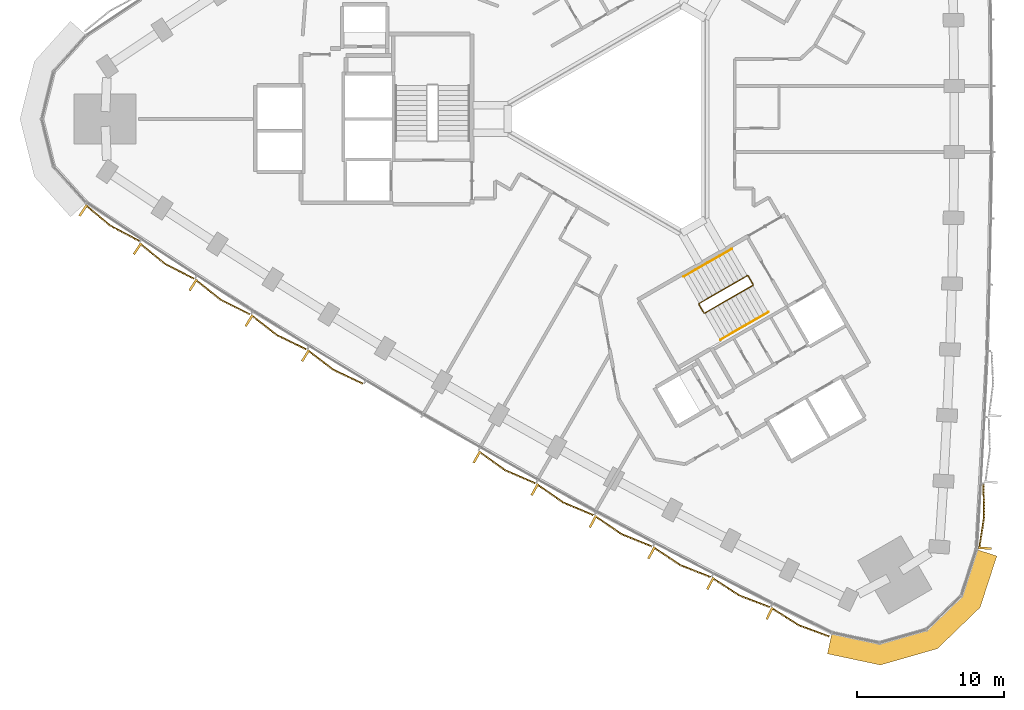
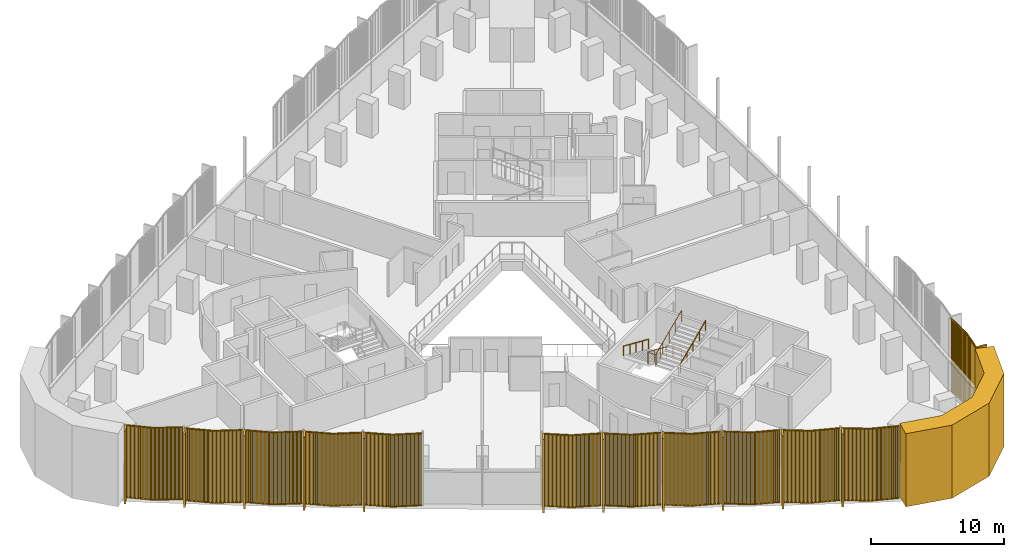
# One storey, part 14 of 16: 13 coverings, 3 railings.
"""IFC4 building model written with IfcOpenShell, lengths in metres."""

from ifc_helpers import new_model, si_unit, direction, frame, frame_2d, origin, origin_2d, place, context, subcontext, project, spatial, polyline, rectangle, circle, outline, extrude, source, transform, mapped, material, layer, layer_set, type_object, element, save


model = new_model("IFC4")

# Units and contexts
model_context = context("Model", 3, precision=1e-05, world=origin(), true_north=direction((0.0, 1.0)))
body_context = subcontext(model_context, "Body", "Model", "MODEL_VIEW")
ifc_project = project(units=[si_unit("LENGTHUNIT", "METRE"), si_unit("AREAUNIT", "SQUARE_METRE"), si_unit("VOLUMEUNIT", "CUBIC_METRE"), si_unit("PLANEANGLEUNIT", "RADIAN"), si_unit("MASSUNIT", "GRAM", prefix="KILO")], contexts=[model_context])

# Site, building, storey
site_placement = place(None, origin())
site = spatial("IfcSite", under=ifc_project, at=site_placement, CompositionType="ELEMENT")
building_placement = place(site_placement, origin())
building = spatial("IfcBuilding", under=site, at=building_placement, Name="Tamra Quay Hotel Tower", CompositionType="ELEMENT")
storey_placement = place(building_placement, frame((0.0, 0.0, 45.800048828125)))
storey = spatial("IfcBuildingStorey", under=building, at=storey_placement, Name="L09", CompositionType="ELEMENT", Elevation=45.800048828125)

# Covering
ifc_material_1 = material(Name="Precast concrete M60 terracotta-coloured", Category="masonry")
ifc_layer = layer(ifc_material_1, 1.449951171875)
ifc_layer_set = layer_set([ifc_layer], Name="CORNER PIER PANEL")
covering_type_1 = type_object("IfcCoveringType", Name="CORNER PIER PANEL", PredefinedType="CLADDING", material=ifc_layer_set)
covering_1_placement = place(storey_placement, origin())
element("IfcCovering", 1, at=covering_1_placement, inside=storey, type_object=covering_type_1, Name="Corner pier L09.south-west", PredefinedType="CLADDING", context=body_context, shape_type="SweptSolid", body=[
    extrude(outline(polyline([(13.593017578125, -34.877685546875), (13.29150390625, -36.296142578125), (16.88037109375, -37.058837890625), (20.75439453125, -35.947998046875), (23.65380859375, -33.148193359375), (24.78759765625, -29.658935546875), (23.40869140625, -29.210693359375), (22.386474609375, -32.356201171875), (20.00732421875, -34.65380859375), (16.828125, -35.5654296875), (13.593017578125, -34.877685546875)])), origin(), (0.0, 0.0, 1.0), 6.724853515625),
])

# Railings
ifc_material_2 = material(Name="Stair guard 1100")
railing_type_1 = type_object("IfcRailingType", Name="Stair guard 1100", PredefinedType="GUARDRAIL", material=ifc_material_2)
railing_1_placement = place(storey_placement, frame((8.245849609375, -11.221923828125, 0.0)))
element("IfcRailing", 2, at=railing_1_placement, inside=storey, type_object=railing_type_1, Name="GR", PredefinedType="GUARDRAIL", context=body_context, shape_type="SweptSolid", body=[
    extrude(circle(Radius=0.02392578125, at=origin_2d()), frame((0.0, 0.0, 1.076171875), z_axis=(-0.500043078269, 0.866000531106, 0.0), x_axis=(-0.866000531106, -0.500043078269, 0.0)), (0.0, 0.0, 1.0), 0.6591796875),
    extrude(circle(Radius=0.02392578125, at=origin_2d()), frame((-0.32958984375, 0.57080078125, 1.076171875), z_axis=(-0.41238007866, 0.110458949641, 0.904290601062), x_axis=(-0.258736085224, -0.965948051503, 0.0)), (0.0, 0.0, 1.0), 0.165771484375),
    extrude(circle(Radius=0.02392578125, at=origin_2d()), frame((-0.39794921875, 0.589111328125, 1.22607421875), z_axis=(-0.793081581205, -0.457901355053, 0.401681409319), x_axis=(0.500012686397, -0.866018079166, 0.0)), (0.0, 0.0, 1.0), 4.108154296875),
    extrude(circle(Radius=0.02392578125, at=origin_2d()), frame((-3.656005859375, -1.2919921875, 2.8759765625), z_axis=(-0.256368644879, -0.966579080015, 0.0), x_axis=(0.966579080015, -0.256368644879, 0.0)), (0.0, 0.0, 1.0), 0.070556640625),
    extrude(circle(Radius=0.02392578125, at=origin_2d()), frame((-3.674072265625, -1.360107421875, 2.8759765625), z_axis=(0.499765215335, -0.866160914346, 0.0), x_axis=(0.866160914346, 0.499765215335, 0.0)), (0.0, 0.0, 1.0), 0.658935546875),
    extrude(circle(Radius=0.02392578125, at=origin_2d()), frame((-3.3447265625, -1.930908203125, 2.8759765625), z_axis=(0.41238007866, -0.110458949641, 0.904290601062), x_axis=(0.258736085224, 0.965948051503, 0.0)), (0.0, 0.0, 1.0), 0.165771484375),
    extrude(circle(Radius=0.02392578125, at=origin_2d()), frame((-3.2763671875, -1.94921875, 3.02587890625), z_axis=(0.793100512587, 0.457912285461, 0.401631567183), x_axis=(-0.500012686397, 0.866018079166, 0.0)), (0.0, 0.0, 1.0), 4.10791015625),
    extrude(circle(Radius=0.02099609375, at=origin_2d()), origin(), (0.0, 0.0, 1.0), 1.052001953125),
    extrude(circle(Radius=0.02099609375, at=origin_2d()), frame((-0.32958984375, 0.57080078125, 0.0)), (0.0, 0.0, 1.0), 1.052001953125),
    extrude(circle(Radius=0.02099609375, at=origin_2d()), frame((-0.39794921875, 0.589111328125, 0.14990234375)), (0.0, 0.0, 1.0), 1.052001953125),
    extrude(circle(Radius=0.02099609375, at=origin_2d()), frame((-1.21240234375, 0.118896484375, 0.5625)), (0.0, 0.0, 1.0), 1.052001953125),
    extrude(circle(Radius=0.02099609375, at=origin_2d()), frame((-2.02685546875, -0.3515625, 0.97509765625)), (0.0, 0.0, 1.0), 1.052001953125),
    extrude(circle(Radius=0.02099609375, at=origin_2d()), frame((-2.841552734375, -0.82177734375, 1.387451171875)), (0.0, 0.0, 1.0), 1.052001953125),
    extrude(circle(Radius=0.02099609375, at=origin_2d()), frame((-3.656005859375, -1.2919921875, 1.800048828125)), (0.0, 0.0, 1.0), 1.052001953125),
    extrude(circle(Radius=0.02099609375, at=origin_2d()), frame((-3.674072265625, -1.360107421875, 1.800048828125)), (0.0, 0.0, 1.0), 1.052001953125),
    extrude(circle(Radius=0.02099609375, at=origin_2d()), frame((-3.3447265625, -1.930908203125, 1.800048828125)), (0.0, 0.0, 1.0), 1.052001953125),
    extrude(circle(Radius=0.02099609375, at=origin_2d()), frame((-3.2763671875, -1.94921875, 1.949951171875)), (0.0, 0.0, 1.0), 1.052001953125),
    extrude(circle(Radius=0.02099609375, at=origin_2d()), frame((-2.4619140625, -1.47900390625, 2.3623046875)), (0.0, 0.0, 1.0), 1.052001953125),
    extrude(circle(Radius=0.02099609375, at=origin_2d()), frame((-1.6474609375, -1.0087890625, 2.77490234375)), (0.0, 0.0, 1.0), 1.052001953125),
    extrude(circle(Radius=0.02099609375, at=origin_2d()), frame((-0.832763671875, -0.538330078125, 3.1875)), (0.0, 0.0, 1.0), 1.052001953125),
    extrude(circle(Radius=0.02099609375, at=origin_2d()), frame((-0.018310546875, -0.068115234375, 3.599853515625)), (0.0, 0.0, 1.0), 1.052001953125),
])
ifc_material_3 = material(Name="Stair handrail 900")
railing_type_2 = type_object("IfcRailingType", Name="Stair handrail 900", PredefinedType="HANDRAIL", material=ifc_material_3)
railing_2_placement = place(storey_placement, frame((6.7978515625, -8.814208984375, 0.14990234375)))
element("IfcRailing", 3, at=railing_2_placement, inside=storey, type_object=railing_type_2, Name="HR", PredefinedType="HANDRAIL", context=body_context, shape_type="SweptSolid", body=[
    extrude(circle(Radius=0.02392578125, at=origin_2d()), frame((0.0, 0.0, 0.8759765625), z_axis=(-0.793081112945, -0.457875966286, 0.40171127416), x_axis=(0.499992114976, -0.866029956157, 0.0)), (0.0, 0.0, 1.0), 4.10791015625),
    extrude(circle(Radius=0.02099609375, at=origin_2d()), origin(), (0.0, 0.0, 1.0), 0.851806640625),
    extrude(circle(Radius=0.02099609375, at=origin_2d()), frame((-0.814453125, -0.47021484375, 0.41259765625)), (0.0, 0.0, 1.0), 0.851806640625),
    extrude(circle(Radius=0.02099609375, at=origin_2d()), frame((-1.62890625, -0.9404296875, 0.8251953125)), (0.0, 0.0, 1.0), 0.851806640625),
    extrude(circle(Radius=0.02099609375, at=origin_2d()), frame((-2.443359375, -1.41064453125, 1.237548828125)), (0.0, 0.0, 1.0), 0.851806640625),
    extrude(circle(Radius=0.02099609375, at=origin_2d()), frame((-3.2578125, -1.880859375, 1.650146484375)), (0.0, 0.0, 1.0), 0.851806640625),
])
railing_3_placement = place(storey_placement, frame((6.01953125, -14.98974609375, 1.949951171875)))
element("IfcRailing", 4, at=railing_3_placement, inside=storey, type_object=railing_type_2, Name="HR", PredefinedType="HANDRAIL", context=body_context, shape_type="SweptSolid", body=[
    extrude(circle(Radius=0.02392578125, at=origin_2d()), frame((0.0, 0.0, 0.8759765625), z_axis=(0.79310004713, 0.457886897714, 0.401661429744), x_axis=(-0.499992114976, 0.866029956157, 0.0)), (0.0, 0.0, 1.0), 4.107666015625),
    extrude(circle(Radius=0.02099609375, at=origin_2d()), origin(), (0.0, 0.0, 1.0), 0.851806640625),
    extrude(circle(Radius=0.02099609375, at=origin_2d()), frame((0.814453125, 0.47021484375, 0.41259765625)), (0.0, 0.0, 1.0), 0.851806640625),
    extrude(circle(Radius=0.02099609375, at=origin_2d()), frame((1.62890625, 0.9404296875, 0.824951171875)), (0.0, 0.0, 1.0), 0.851806640625),
    extrude(circle(Radius=0.02099609375, at=origin_2d()), frame((2.443359375, 1.41064453125, 1.2373046875)), (0.0, 0.0, 1.0), 0.851806640625),
    extrude(circle(Radius=0.02099609375, at=origin_2d()), frame((3.2578125, 1.880859375, 1.64990234375)), (0.0, 0.0, 1.0), 0.851806640625),
])

# Coverings
ifc_material_4 = material(Name="Terracotta baguette extruded", Category="masonry")
covering_type_2 = type_object("IfcCoveringType", Name="BAGUETTE SCREEN E-V H6725", PredefinedType="USERDEFINED", material=ifc_material_4)
shared_shape_1 = source(origin(), body_context, "Body", "SweptSolid", [
    extrude(rectangle(XDim=2.2109375, YDim=0.06005859375, at=frame_2d((1.10546875, 0.030029296875))), frame((-2.207763671875, -0.057861328125, -0.1201171875), z_axis=(0.0, 0.0, 1.0), x_axis=(0.996194698092, -0.087155742748, 0.0)), (0.0, 0.0, 1.0), 0.1201171875),
    extrude(rectangle(XDim=2.2109375, YDim=0.06005859375, at=frame_2d((1.10546875, 0.030029296875))), frame((-2.207763671875, -0.057861328125, -6.72509765625), z_axis=(0.0, 0.0, 1.0), x_axis=(0.996194698092, -0.087155742748, 0.0)), (0.0, 0.0, 1.0), 0.1201171875),
    extrude(rectangle(XDim=0.070068359375, YDim=0.10009765625, at=frame_2d((0.03515625, 0.050048828125))), frame((-2.1875, -0.13232421875, -6.6650390625)), (0.0, 0.0, 1.0), 6.60498046875),
    extrude(rectangle(XDim=0.070068359375, YDim=0.10009765625, at=frame_2d((0.03515625, 0.050048828125))), frame((-2.08740234375, -0.14111328125, -6.6650390625)), (0.0, 0.0, 1.0), 6.60498046875),
    extrude(rectangle(XDim=0.070068359375, YDim=0.10009765625, at=frame_2d((0.03515625, 0.050048828125))), frame((-1.9873046875, -0.14990234375, -6.6650390625)), (0.0, 0.0, 1.0), 6.60498046875),
    extrude(rectangle(XDim=0.070068359375, YDim=0.10009765625, at=frame_2d((0.03515625, 0.050048828125))), frame((-1.88720703125, -0.15869140625, -6.6650390625)), (0.0, 0.0, 1.0), 6.60498046875),
    extrude(rectangle(XDim=0.070068359375, YDim=0.10009765625, at=frame_2d((0.03515625, 0.050048828125))), frame((-1.787109375, -0.16748046875, -6.6650390625)), (0.0, 0.0, 1.0), 6.60498046875),
    extrude(rectangle(XDim=0.070068359375, YDim=0.10009765625, at=frame_2d((0.03515625, 0.050048828125))), frame((-1.686767578125, -0.17626953125, -6.6650390625)), (0.0, 0.0, 1.0), 6.60498046875),
    extrude(rectangle(XDim=0.070068359375, YDim=0.10009765625, at=frame_2d((0.03515625, 0.050048828125))), frame((-1.586669921875, -0.184814453125, -6.6650390625)), (0.0, 0.0, 1.0), 6.60498046875),
    extrude(rectangle(XDim=0.070068359375, YDim=0.10009765625, at=frame_2d((0.03515625, 0.050048828125))), frame((-1.486572265625, -0.193603515625, -6.6650390625)), (0.0, 0.0, 1.0), 6.60498046875),
    extrude(rectangle(XDim=0.070068359375, YDim=0.10009765625, at=frame_2d((0.03515625, 0.050048828125))), frame((-1.386474609375, -0.202392578125, -6.6650390625)), (0.0, 0.0, 1.0), 6.60498046875),
    extrude(rectangle(XDim=0.070068359375, YDim=0.10009765625, at=frame_2d((0.03515625, 0.050048828125))), frame((-1.286376953125, -0.211181640625, -6.6650390625)), (0.0, 0.0, 1.0), 6.60498046875),
    extrude(rectangle(XDim=0.070068359375, YDim=0.10009765625, at=frame_2d((0.03515625, 0.050048828125))), frame((-1.186279296875, -0.219970703125, -6.6650390625)), (0.0, 0.0, 1.0), 6.60498046875),
    extrude(rectangle(XDim=0.070068359375, YDim=0.10009765625, at=frame_2d((0.03515625, 0.050048828125))), frame((-1.086181640625, -0.228759765625, -6.6650390625)), (0.0, 0.0, 1.0), 6.60498046875),
    extrude(rectangle(XDim=0.070068359375, YDim=0.10009765625, at=frame_2d((0.03515625, 0.050048828125))), frame((-0.986083984375, -0.237548828125, -6.6650390625)), (0.0, 0.0, 1.0), 6.60498046875),
    extrude(rectangle(XDim=0.070068359375, YDim=0.10009765625, at=frame_2d((0.03515625, 0.050048828125))), frame((-0.885986328125, -0.246337890625, -6.6650390625)), (0.0, 0.0, 1.0), 6.60498046875),
    extrude(rectangle(XDim=0.070068359375, YDim=0.10009765625, at=frame_2d((0.03515625, 0.050048828125))), frame((-0.785888671875, -0.2548828125, -6.6650390625)), (0.0, 0.0, 1.0), 6.60498046875),
    extrude(rectangle(XDim=0.070068359375, YDim=0.10009765625, at=frame_2d((0.03515625, 0.050048828125))), frame((-0.685791015625, -0.263671875, -6.6650390625)), (0.0, 0.0, 1.0), 6.60498046875),
    extrude(rectangle(XDim=0.070068359375, YDim=0.10009765625, at=frame_2d((0.03515625, 0.050048828125))), frame((-0.585693359375, -0.2724609375, -6.6650390625)), (0.0, 0.0, 1.0), 6.60498046875),
    extrude(rectangle(XDim=0.070068359375, YDim=0.10009765625, at=frame_2d((0.03515625, 0.050048828125))), frame((-0.485595703125, -0.28125, -6.6650390625)), (0.0, 0.0, 1.0), 6.60498046875),
    extrude(rectangle(XDim=0.070068359375, YDim=0.10009765625, at=frame_2d((0.03515625, 0.050048828125))), frame((-0.385498046875, -0.2900390625, -6.6650390625)), (0.0, 0.0, 1.0), 6.60498046875),
    extrude(rectangle(XDim=0.070068359375, YDim=0.10009765625, at=frame_2d((0.03515625, 0.050048828125))), frame((-0.285400390625, -0.298828125, -6.6650390625)), (0.0, 0.0, 1.0), 6.60498046875),
    extrude(rectangle(XDim=0.070068359375, YDim=0.10009765625, at=frame_2d((0.03515625, 0.050048828125))), frame((-0.18505859375, -0.3076171875, -6.6650390625)), (0.0, 0.0, 1.0), 6.60498046875),
    extrude(rectangle(XDim=0.070068359375, YDim=0.10009765625, at=frame_2d((0.03515625, 0.050048828125))), frame((-0.0849609375, -0.31640625, -6.6650390625)), (0.0, 0.0, 1.0), 6.60498046875),
    extrude(rectangle(XDim=2.2109375, YDim=0.06005859375, at=frame_2d((1.10546875, 0.030029296875))), frame((0.005126953125, -0.25048828125, -0.1201171875), z_axis=(0.0, 0.0, 1.0), x_axis=(0.996194698092, 0.087155742748, 0.0)), (0.0, 0.0, 1.0), 0.1201171875),
    extrude(rectangle(XDim=2.2109375, YDim=0.06005859375, at=frame_2d((1.10546875, 0.030029296875))), frame((0.005126953125, -0.25048828125, -6.72509765625), z_axis=(0.0, 0.0, 1.0), x_axis=(0.996194698092, 0.087155742748, 0.0)), (0.0, 0.0, 1.0), 0.1201171875),
    extrude(rectangle(XDim=0.070068359375, YDim=0.10009765625, at=frame_2d((0.03515625, 0.050048828125))), frame((0.01513671875, -0.31640625, -6.6650390625)), (0.0, 0.0, 1.0), 6.60498046875),
    extrude(rectangle(XDim=0.070068359375, YDim=0.10009765625, at=frame_2d((0.03515625, 0.050048828125))), frame((0.115234375, -0.3076171875, -6.6650390625)), (0.0, 0.0, 1.0), 6.60498046875),
    extrude(rectangle(XDim=0.070068359375, YDim=0.10009765625, at=frame_2d((0.03515625, 0.050048828125))), frame((0.21533203125, -0.298828125, -6.6650390625)), (0.0, 0.0, 1.0), 6.60498046875),
    extrude(rectangle(XDim=0.070068359375, YDim=0.10009765625, at=frame_2d((0.03515625, 0.050048828125))), frame((0.3154296875, -0.2900390625, -6.6650390625)), (0.0, 0.0, 1.0), 6.60498046875),
    extrude(rectangle(XDim=0.070068359375, YDim=0.10009765625, at=frame_2d((0.03515625, 0.050048828125))), frame((0.41552734375, -0.28125, -6.6650390625)), (0.0, 0.0, 1.0), 6.60498046875),
    extrude(rectangle(XDim=0.070068359375, YDim=0.10009765625, at=frame_2d((0.03515625, 0.050048828125))), frame((0.515625, -0.2724609375, -6.6650390625)), (0.0, 0.0, 1.0), 6.60498046875),
    extrude(rectangle(XDim=0.070068359375, YDim=0.10009765625, at=frame_2d((0.03515625, 0.050048828125))), frame((0.61572265625, -0.263671875, -6.6650390625)), (0.0, 0.0, 1.0), 6.60498046875),
    extrude(rectangle(XDim=0.070068359375, YDim=0.10009765625, at=frame_2d((0.03515625, 0.050048828125))), frame((0.7158203125, -0.2548828125, -6.6650390625)), (0.0, 0.0, 1.0), 6.60498046875),
    extrude(rectangle(XDim=0.070068359375, YDim=0.10009765625, at=frame_2d((0.03515625, 0.050048828125))), frame((0.81591796875, -0.246337890625, -6.6650390625)), (0.0, 0.0, 1.0), 6.60498046875),
    extrude(rectangle(XDim=0.070068359375, YDim=0.10009765625, at=frame_2d((0.03515625, 0.050048828125))), frame((0.916015625, -0.237548828125, -6.6650390625)), (0.0, 0.0, 1.0), 6.60498046875),
    extrude(rectangle(XDim=0.070068359375, YDim=0.10009765625, at=frame_2d((0.03515625, 0.050048828125))), frame((1.01611328125, -0.228759765625, -6.6650390625)), (0.0, 0.0, 1.0), 6.60498046875),
    extrude(rectangle(XDim=0.070068359375, YDim=0.10009765625, at=frame_2d((0.03515625, 0.050048828125))), frame((1.1162109375, -0.219970703125, -6.6650390625)), (0.0, 0.0, 1.0), 6.60498046875),
    extrude(rectangle(XDim=0.070068359375, YDim=0.10009765625, at=frame_2d((0.03515625, 0.050048828125))), frame((1.21630859375, -0.211181640625, -6.6650390625)), (0.0, 0.0, 1.0), 6.60498046875),
    extrude(rectangle(XDim=0.070068359375, YDim=0.10009765625, at=frame_2d((0.03515625, 0.050048828125))), frame((1.316650390625, -0.202392578125, -6.6650390625)), (0.0, 0.0, 1.0), 6.60498046875),
    extrude(rectangle(XDim=0.070068359375, YDim=0.10009765625, at=frame_2d((0.03515625, 0.050048828125))), frame((1.416748046875, -0.193603515625, -6.6650390625)), (0.0, 0.0, 1.0), 6.60498046875),
    extrude(rectangle(XDim=0.070068359375, YDim=0.10009765625, at=frame_2d((0.03515625, 0.050048828125))), frame((1.516845703125, -0.184814453125, -6.6650390625)), (0.0, 0.0, 1.0), 6.60498046875),
    extrude(rectangle(XDim=0.070068359375, YDim=0.10009765625, at=frame_2d((0.03515625, 0.050048828125))), frame((1.616943359375, -0.17626953125, -6.6650390625)), (0.0, 0.0, 1.0), 6.60498046875),
    extrude(rectangle(XDim=0.070068359375, YDim=0.10009765625, at=frame_2d((0.03515625, 0.050048828125))), frame((1.717041015625, -0.16748046875, -6.6650390625)), (0.0, 0.0, 1.0), 6.60498046875),
    extrude(rectangle(XDim=0.070068359375, YDim=0.10009765625, at=frame_2d((0.03515625, 0.050048828125))), frame((1.817138671875, -0.15869140625, -6.6650390625)), (0.0, 0.0, 1.0), 6.60498046875),
    extrude(rectangle(XDim=0.070068359375, YDim=0.10009765625, at=frame_2d((0.03515625, 0.050048828125))), frame((1.917236328125, -0.14990234375, -6.6650390625)), (0.0, 0.0, 1.0), 6.60498046875),
    extrude(rectangle(XDim=0.070068359375, YDim=0.10009765625, at=frame_2d((0.03515625, 0.050048828125))), frame((2.017333984375, -0.14111328125, -6.6650390625)), (0.0, 0.0, 1.0), 6.60498046875),
    extrude(rectangle(XDim=0.070068359375, YDim=0.10009765625, at=frame_2d((0.03515625, 0.050048828125))), frame((2.117431640625, -0.13232421875, -6.6650390625)), (0.0, 0.0, 1.0), 6.60498046875),
    extrude(rectangle(XDim=0.14990234375, YDim=0.902099609375, at=frame_2d((0.074951171875, 0.451171875))), frame((-2.202392578125, -0.89990234375, -6.72509765625)), (0.0, 0.0, 1.0), 6.72509765625),
])
covering_2_placement = place(storey_placement, frame((23.672119140625, -26.97509765625, 6.724853515625), z_axis=(0.0, 0.0, 1.0), x_axis=(0.064813097616, 0.997897420769, 0.0)))
element("IfcCovering", 5, at=covering_2_placement, inside=storey, type_object=covering_type_2, Name="Baguette screen L09.E.f00", ObjectType="BAGUETTE SCREEN", PredefinedType="USERDEFINED", context=body_context, shape_type="MappedRepresentation", body=[
    mapped(shared_shape_1, transform((0.0, 0.0, 0.0), scale=1.0)),
])
covering_type_3 = type_object("IfcCoveringType", Name="BAGUETTE SCREEN SW-V H6725", PredefinedType="USERDEFINED", material=ifc_material_4)
shared_shape_2 = source(origin(), body_context, "Body", "SweptSolid", [
    extrude(rectangle(XDim=2.214599609375, YDim=0.06005859375, at=frame_2d((1.107421875, 0.030029296875))), frame((-2.208740234375, -0.0576171875, -0.1201171875), z_axis=(0.0, 0.0, 1.0), x_axis=(0.994521895368, -0.104528463268, 0.0)), (0.0, 0.0, 1.0), 0.1201171875),
    extrude(rectangle(XDim=2.214599609375, YDim=0.06005859375, at=frame_2d((1.107421875, 0.030029296875))), frame((-2.208740234375, -0.0576171875, -6.72509765625), z_axis=(0.0, 0.0, 1.0), x_axis=(0.994521895368, -0.104528463268, 0.0)), (0.0, 0.0, 1.0), 0.1201171875),
    extrude(rectangle(XDim=0.070068359375, YDim=0.10009765625, at=frame_2d((0.03515625, 0.050048828125))), frame((-2.1875, -0.13330078125, -6.6650390625)), (0.0, 0.0, 1.0), 6.60498046875),
    extrude(rectangle(XDim=0.070068359375, YDim=0.10009765625, at=frame_2d((0.03515625, 0.050048828125))), frame((-2.08740234375, -0.143798828125, -6.6650390625)), (0.0, 0.0, 1.0), 6.60498046875),
    extrude(rectangle(XDim=0.070068359375, YDim=0.10009765625, at=frame_2d((0.03515625, 0.050048828125))), frame((-1.9873046875, -0.154296875, -6.6650390625)), (0.0, 0.0, 1.0), 6.60498046875),
    extrude(rectangle(XDim=0.070068359375, YDim=0.10009765625, at=frame_2d((0.03515625, 0.050048828125))), frame((-1.88720703125, -0.164794921875, -6.6650390625)), (0.0, 0.0, 1.0), 6.60498046875),
    extrude(rectangle(XDim=0.070068359375, YDim=0.10009765625, at=frame_2d((0.03515625, 0.050048828125))), frame((-1.787109375, -0.17529296875, -6.6650390625)), (0.0, 0.0, 1.0), 6.60498046875),
    extrude(rectangle(XDim=0.070068359375, YDim=0.10009765625, at=frame_2d((0.03515625, 0.050048828125))), frame((-1.686767578125, -0.185791015625, -6.6650390625)), (0.0, 0.0, 1.0), 6.60498046875),
    extrude(rectangle(XDim=0.070068359375, YDim=0.10009765625, at=frame_2d((0.03515625, 0.050048828125))), frame((-1.586669921875, -0.1962890625, -6.6650390625)), (0.0, 0.0, 1.0), 6.60498046875),
    extrude(rectangle(XDim=0.070068359375, YDim=0.10009765625, at=frame_2d((0.03515625, 0.050048828125))), frame((-1.486572265625, -0.20703125, -6.6650390625)), (0.0, 0.0, 1.0), 6.60498046875),
    extrude(rectangle(XDim=0.070068359375, YDim=0.10009765625, at=frame_2d((0.03515625, 0.050048828125))), frame((-1.386474609375, -0.217529296875, -6.6650390625)), (0.0, 0.0, 1.0), 6.60498046875),
    extrude(rectangle(XDim=0.070068359375, YDim=0.10009765625, at=frame_2d((0.03515625, 0.050048828125))), frame((-1.286376953125, -0.22802734375, -6.6650390625)), (0.0, 0.0, 1.0), 6.60498046875),
    extrude(rectangle(XDim=0.070068359375, YDim=0.10009765625, at=frame_2d((0.03515625, 0.050048828125))), frame((-1.186279296875, -0.238525390625, -6.6650390625)), (0.0, 0.0, 1.0), 6.60498046875),
    extrude(rectangle(XDim=0.070068359375, YDim=0.10009765625, at=frame_2d((0.03515625, 0.050048828125))), frame((-1.086181640625, -0.2490234375, -6.6650390625)), (0.0, 0.0, 1.0), 6.60498046875),
    extrude(rectangle(XDim=0.070068359375, YDim=0.10009765625, at=frame_2d((0.03515625, 0.050048828125))), frame((-0.986083984375, -0.259521484375, -6.6650390625)), (0.0, 0.0, 1.0), 6.60498046875),
    extrude(rectangle(XDim=0.070068359375, YDim=0.10009765625, at=frame_2d((0.03515625, 0.050048828125))), frame((-0.885986328125, -0.27001953125, -6.6650390625)), (0.0, 0.0, 1.0), 6.60498046875),
    extrude(rectangle(XDim=0.070068359375, YDim=0.10009765625, at=frame_2d((0.03515625, 0.050048828125))), frame((-0.785888671875, -0.280517578125, -6.6650390625)), (0.0, 0.0, 1.0), 6.60498046875),
    extrude(rectangle(XDim=0.070068359375, YDim=0.10009765625, at=frame_2d((0.03515625, 0.050048828125))), frame((-0.685791015625, -0.291015625, -6.6650390625)), (0.0, 0.0, 1.0), 6.60498046875),
    extrude(rectangle(XDim=0.070068359375, YDim=0.10009765625, at=frame_2d((0.03515625, 0.050048828125))), frame((-0.585693359375, -0.301513671875, -6.6650390625)), (0.0, 0.0, 1.0), 6.60498046875),
    extrude(rectangle(XDim=0.070068359375, YDim=0.10009765625, at=frame_2d((0.03515625, 0.050048828125))), frame((-0.485595703125, -0.312255859375, -6.6650390625)), (0.0, 0.0, 1.0), 6.60498046875),
    extrude(rectangle(XDim=0.070068359375, YDim=0.10009765625, at=frame_2d((0.03515625, 0.050048828125))), frame((-0.385498046875, -0.32275390625, -6.6650390625)), (0.0, 0.0, 1.0), 6.60498046875),
    extrude(rectangle(XDim=0.070068359375, YDim=0.10009765625, at=frame_2d((0.03515625, 0.050048828125))), frame((-0.285400390625, -0.333251953125, -6.6650390625)), (0.0, 0.0, 1.0), 6.60498046875),
    extrude(rectangle(XDim=0.070068359375, YDim=0.10009765625, at=frame_2d((0.03515625, 0.050048828125))), frame((-0.18505859375, -0.34375, -6.6650390625)), (0.0, 0.0, 1.0), 6.60498046875),
    extrude(rectangle(XDim=0.070068359375, YDim=0.10009765625, at=frame_2d((0.03515625, 0.050048828125))), frame((-0.0849609375, -0.354248046875, -6.6650390625)), (0.0, 0.0, 1.0), 6.60498046875),
    extrude(rectangle(XDim=2.214599609375, YDim=0.06005859375, at=frame_2d((1.107421875, 0.030029296875))), frame((0.00634765625, -0.2890625, -0.1201171875), z_axis=(0.0, 0.0, 1.0), x_axis=(0.994521895368, 0.104528463268, 0.0)), (0.0, 0.0, 1.0), 0.1201171875),
    extrude(rectangle(XDim=2.214599609375, YDim=0.06005859375, at=frame_2d((1.107421875, 0.030029296875))), frame((0.00634765625, -0.2890625, -6.72509765625), z_axis=(0.0, 0.0, 1.0), x_axis=(0.994521895368, 0.104528463268, 0.0)), (0.0, 0.0, 1.0), 0.1201171875),
    extrude(rectangle(XDim=0.070068359375, YDim=0.10009765625, at=frame_2d((0.03515625, 0.050048828125))), frame((0.01513671875, -0.354248046875, -6.6650390625)), (0.0, 0.0, 1.0), 6.60498046875),
    extrude(rectangle(XDim=0.070068359375, YDim=0.10009765625, at=frame_2d((0.03515625, 0.050048828125))), frame((0.115234375, -0.34375, -6.6650390625)), (0.0, 0.0, 1.0), 6.60498046875),
    extrude(rectangle(XDim=0.070068359375, YDim=0.10009765625, at=frame_2d((0.03515625, 0.050048828125))), frame((0.21533203125, -0.333251953125, -6.6650390625)), (0.0, 0.0, 1.0), 6.60498046875),
    extrude(rectangle(XDim=0.070068359375, YDim=0.10009765625, at=frame_2d((0.03515625, 0.050048828125))), frame((0.3154296875, -0.32275390625, -6.6650390625)), (0.0, 0.0, 1.0), 6.60498046875),
    extrude(rectangle(XDim=0.070068359375, YDim=0.10009765625, at=frame_2d((0.03515625, 0.050048828125))), frame((0.41552734375, -0.312255859375, -6.6650390625)), (0.0, 0.0, 1.0), 6.60498046875),
    extrude(rectangle(XDim=0.070068359375, YDim=0.10009765625, at=frame_2d((0.03515625, 0.050048828125))), frame((0.515625, -0.301513671875, -6.6650390625)), (0.0, 0.0, 1.0), 6.60498046875),
    extrude(rectangle(XDim=0.070068359375, YDim=0.10009765625, at=frame_2d((0.03515625, 0.050048828125))), frame((0.61572265625, -0.291015625, -6.6650390625)), (0.0, 0.0, 1.0), 6.60498046875),
    extrude(rectangle(XDim=0.070068359375, YDim=0.10009765625, at=frame_2d((0.03515625, 0.050048828125))), frame((0.7158203125, -0.280517578125, -6.6650390625)), (0.0, 0.0, 1.0), 6.60498046875),
    extrude(rectangle(XDim=0.070068359375, YDim=0.10009765625, at=frame_2d((0.03515625, 0.050048828125))), frame((0.81591796875, -0.27001953125, -6.6650390625)), (0.0, 0.0, 1.0), 6.60498046875),
    extrude(rectangle(XDim=0.070068359375, YDim=0.10009765625, at=frame_2d((0.03515625, 0.050048828125))), frame((0.916015625, -0.259521484375, -6.6650390625)), (0.0, 0.0, 1.0), 6.60498046875),
    extrude(rectangle(XDim=0.070068359375, YDim=0.10009765625, at=frame_2d((0.03515625, 0.050048828125))), frame((1.01611328125, -0.2490234375, -6.6650390625)), (0.0, 0.0, 1.0), 6.60498046875),
    extrude(rectangle(XDim=0.070068359375, YDim=0.10009765625, at=frame_2d((0.03515625, 0.050048828125))), frame((1.1162109375, -0.238525390625, -6.6650390625)), (0.0, 0.0, 1.0), 6.60498046875),
    extrude(rectangle(XDim=0.070068359375, YDim=0.10009765625, at=frame_2d((0.03515625, 0.050048828125))), frame((1.21630859375, -0.22802734375, -6.6650390625)), (0.0, 0.0, 1.0), 6.60498046875),
    extrude(rectangle(XDim=0.070068359375, YDim=0.10009765625, at=frame_2d((0.03515625, 0.050048828125))), frame((1.316650390625, -0.217529296875, -6.6650390625)), (0.0, 0.0, 1.0), 6.60498046875),
    extrude(rectangle(XDim=0.070068359375, YDim=0.10009765625, at=frame_2d((0.03515625, 0.050048828125))), frame((1.416748046875, -0.20703125, -6.6650390625)), (0.0, 0.0, 1.0), 6.60498046875),
    extrude(rectangle(XDim=0.070068359375, YDim=0.10009765625, at=frame_2d((0.03515625, 0.050048828125))), frame((1.516845703125, -0.1962890625, -6.6650390625)), (0.0, 0.0, 1.0), 6.60498046875),
    extrude(rectangle(XDim=0.070068359375, YDim=0.10009765625, at=frame_2d((0.03515625, 0.050048828125))), frame((1.616943359375, -0.185791015625, -6.6650390625)), (0.0, 0.0, 1.0), 6.60498046875),
    extrude(rectangle(XDim=0.070068359375, YDim=0.10009765625, at=frame_2d((0.03515625, 0.050048828125))), frame((1.717041015625, -0.17529296875, -6.6650390625)), (0.0, 0.0, 1.0), 6.60498046875),
    extrude(rectangle(XDim=0.070068359375, YDim=0.10009765625, at=frame_2d((0.03515625, 0.050048828125))), frame((1.817138671875, -0.164794921875, -6.6650390625)), (0.0, 0.0, 1.0), 6.60498046875),
    extrude(rectangle(XDim=0.070068359375, YDim=0.10009765625, at=frame_2d((0.03515625, 0.050048828125))), frame((1.917236328125, -0.154296875, -6.6650390625)), (0.0, 0.0, 1.0), 6.60498046875),
    extrude(rectangle(XDim=0.070068359375, YDim=0.10009765625, at=frame_2d((0.03515625, 0.050048828125))), frame((2.017333984375, -0.143798828125, -6.6650390625)), (0.0, 0.0, 1.0), 6.60498046875),
    extrude(rectangle(XDim=0.070068359375, YDim=0.10009765625, at=frame_2d((0.03515625, 0.050048828125))), frame((2.117431640625, -0.13330078125, -6.6650390625)), (0.0, 0.0, 1.0), 6.60498046875),
    extrude(rectangle(XDim=0.14990234375, YDim=0.902099609375, at=frame_2d((0.074951171875, 0.451171875))), frame((-2.202392578125, -0.89990234375, -6.72509765625)), (0.0, 0.0, 1.0), 6.72509765625),
])
for number, where, z_axis, x_axis, name in (
    (6, (-35.197021484375, -7.01318359375, 6.724853515625), (0.0, 0.0, 1.0), (0.831797967949, -0.555078499418, 0.0), "Baguette screen L09.SW.f00"),
    (7, (-31.507080078125, -9.590576171875, 6.724853515625), (0.0, 0.0, 1.0), (0.837727846152, -0.546087956086, 0.0), "Baguette screen L09.SW.f01"),
    (8, (-27.7236328125, -12.028076171875, 6.724853515625), (0.0, 0.0, 1.0), (0.84357098627, -0.537017682319, 0.0), "Baguette screen L09.SW.f02"),
    (9, (-23.91455078125, -14.423828125, 6.724853515625), (0.0, 0.0, 1.0), (0.849331223164, -0.527860278254, 0.0), "Baguette screen L09.SW.f03"),
    (10, (-20.079345703125, -16.77880859375, 6.724853515625), (0.0, 0.0, 1.0), (0.85499355735, -0.51863861878, 0.0), "Baguette screen L09.SW.f04"),
    (11, (-8.425048828125, -23.592041015625, 6.724853515625), (0.0, 0.0, 1.0), (0.871392472945, -0.490586544959, 0.0), "Baguette screen L09.SW.f07"),
    (12, (-4.4912109375, -25.778564453125, 6.724853515625), (0.0, 0.0, 1.0), (0.876650997922, -0.481126831347, 0.0), "Baguette screen L09.SW.f08"),
    (13, (-0.5341796875, -27.922607421875, 6.724853515625), (0.0, 0.0, 1.0), (0.881806022199, -0.47161227636, 0.0), "Baguette screen L09.SW.f09"),
    (14, (3.4453125, -30.0234375, 6.724853515625), (0.0, 0.0, 1.0), (0.886856448305, -0.462045062846, 0.0), "Baguette screen L09.SW.f10"),
    (15, (7.44775390625, -32.081298828125, 6.724853515625), (0.0, 0.0, 1.0), (0.891789965747, -0.452449618182, 0.0), "Baguette screen L09.SW.f11"),
    (16, (11.471923828125, -34.095703125, 6.724853515625), (0.0, 0.0, 1.0), (0.896611065565, -0.442818921351, 0.0), "Baguette screen L09.SW.f12"),
):
    element("IfcCovering", number, at=place(storey_placement, frame(where, z_axis=z_axis, x_axis=x_axis)), inside=storey, type_object=covering_type_3, Name=name, ObjectType="BAGUETTE SCREEN", PredefinedType="USERDEFINED", context=body_context, shape_type="MappedRepresentation", body=[
        mapped(shared_shape_2, transform((0.0, 0.0, 0.0), scale=1.0)),
    ])

save(model, "model.ifc")
